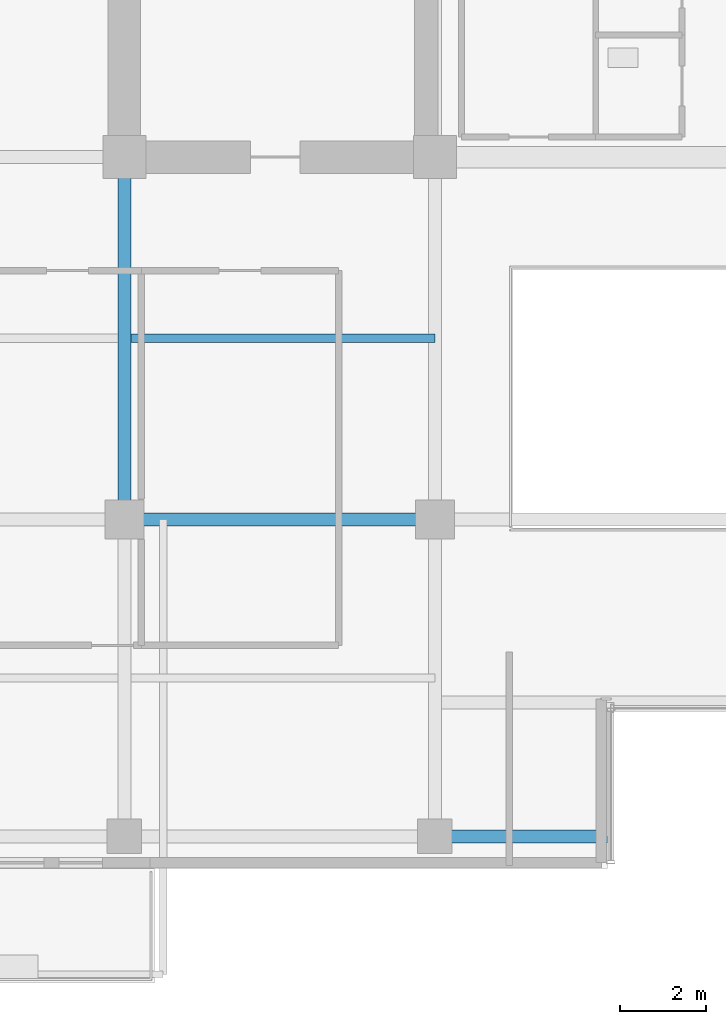
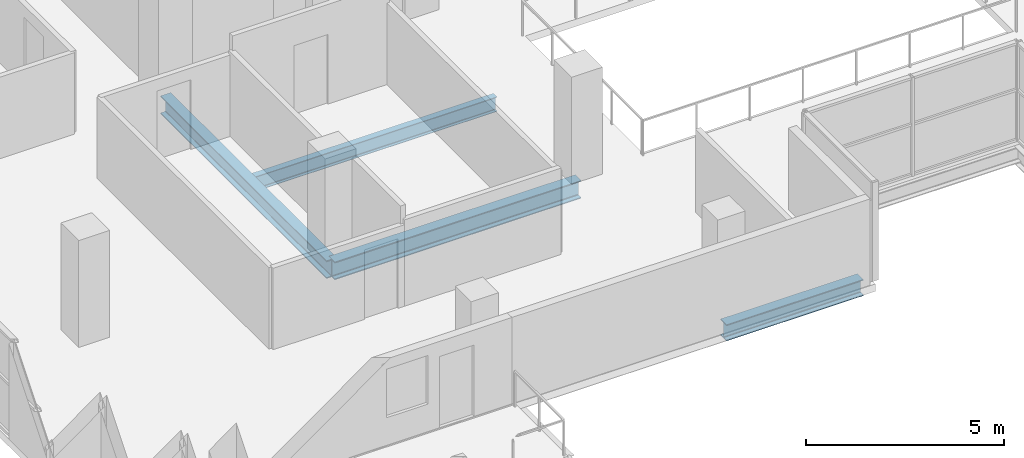
# One storey, part 5 of 24: 4 beams.
"""IFC4 building model written with IfcOpenShell, lengths in metres."""

from ifc_helpers import new_model, si_unit, direction, frame, origin, origin_2d, place, context, subcontext, project, spatial, i_section, extrude, material, material_profile, profile_set, type_object, element, save


model = new_model("IFC4")

# Units and contexts
model_context = context("Model", 3, precision=1e-05, world=origin(), true_north=direction((0.0, 1.0)))
body_context = subcontext(model_context, "Body", "Model", "MODEL_VIEW")
ifc_project = project(units=[si_unit("LENGTHUNIT", "METRE"), si_unit("AREAUNIT", "SQUARE_METRE"), si_unit("VOLUMEUNIT", "CUBIC_METRE"), si_unit("PLANEANGLEUNIT", "RADIAN"), si_unit("MASSUNIT", "GRAM", prefix="KILO")], contexts=[model_context])

# Site, building, storey
site_placement = place(None, origin())
site = spatial("IfcSite", under=ifc_project, at=site_placement, CompositionType="ELEMENT")
building_placement = place(site_placement, origin())
building = spatial("IfcBuilding", under=site, at=building_placement, Name="Zarnakvel Exchange Tower", CompositionType="ELEMENT")
storey_placement = place(building_placement, frame((0.0, 0.0, 119.800048828125)))
storey = spatial("IfcBuildingStorey", under=building, at=storey_placement, Name="L33", CompositionType="ELEMENT", Elevation=119.800048828125)

# Beams
ifc_material = material(Name="Steel S355", Category="steel")
ifc_material_profile_1 = material_profile(ifc_material, i_section(OverallWidth=0.18994140625, OverallDepth=0.449951171875, WebThickness=0.009521484375, FlangeThickness=0.0146484375, FilletRadius=0.02099609375, at=origin_2d()))
ifc_profile_set_1 = profile_set([ifc_material_profile_1], Name="Steel S355")
beam_type_1 = type_object("IfcBeamType", Name="B-05", PredefinedType="JOIST", material=ifc_profile_set_1)
beam_1_placement = place(storey_placement, frame((-14.25, -5.39990234375, -0.449951171875), z_axis=(1.0, 0.0, 0.0), x_axis=(0.0, 1.0, 0.0)))
element("IfcBeam", 1, at=beam_1_placement, inside=storey, type_object=beam_type_1, Name="L33 Composite Floor Secondary Joist", PredefinedType="JOIST", context=body_context, shape_type="SweptSolid", body=[
    extrude(i_section(OverallWidth=0.18994140625, OverallDepth=0.449951171875, WebThickness=0.009521484375, FlangeThickness=0.0146484375, FilletRadius=0.02099609375, at=origin_2d()), origin(), (0.0, 0.0, 1.0), 7.050048828125),
])
ifc_material_profile_2 = material_profile(ifc_material, i_section(OverallWidth=0.300048828125, OverallDepth=0.550048828125, WebThickness=0.014892578125, FlangeThickness=0.029052734375, FilletRadius=0.027099609375, at=origin_2d()))
ifc_profile_set_2 = profile_set([ifc_material_profile_2], Name="Steel S355")
beam_type_2 = type_object("IfcBeamType", Name="G-05", PredefinedType="BEAM", material=ifc_profile_set_2)
beam_2_placement = place(storey_placement, frame((-14.39990234375, -9.60009765625, -0.5), z_axis=(1.0, 0.0, 0.0), x_axis=(0.0, 1.0, 0.0)))
element("IfcBeam", 2, at=beam_2_placement, inside=storey, type_object=beam_type_2, Name="L33 Tower E-W Frame Beam", PredefinedType="BEAM", context=body_context, shape_type="SweptSolid", body=[
    extrude(i_section(OverallWidth=0.300048828125, OverallDepth=0.550048828125, WebThickness=0.014892578125, FlangeThickness=0.029052734375, FilletRadius=0.027099609375, at=origin_2d()), origin(), (0.0, 0.0, 1.0), 7.199951171875),
])
beam_3_placement = place(storey_placement, frame((-14.39990234375, -9.60009765625, -0.5), z_axis=(0.0, 1.0, 0.0), x_axis=(-1.0, 0.0, 0.0)))
element("IfcBeam", 3, at=beam_3_placement, inside=storey, type_object=beam_type_2, Name="L33 Tower N-S Frame Beam", PredefinedType="BEAM", context=body_context, shape_type="SweptSolid", body=[
    extrude(i_section(OverallWidth=0.300048828125, OverallDepth=0.550048828125, WebThickness=0.014892578125, FlangeThickness=0.029052734375, FilletRadius=0.027099609375, at=origin_2d()), origin(), (0.0, 0.0, 1.0), 8.400146484375),
])
ifc_material_profile_3 = material_profile(ifc_material, i_section(OverallWidth=0.300048828125, OverallDepth=0.5, WebThickness=0.014404296875, FlangeThickness=0.028076171875, FilletRadius=0.027099609375, at=origin_2d()))
ifc_profile_set_3 = profile_set([ifc_material_profile_3], Name="Steel S355")
beam_type_3 = type_object("IfcBeamType", Name="SP-02", PredefinedType="SPANDREL", material=ifc_profile_set_3)
beam_4_placement = place(storey_placement, frame((-7.199951171875, -16.949951171875, -0.47509765625), z_axis=(1.0, 0.0, 0.0), x_axis=(0.0, 1.0, 0.0)))
element("IfcBeam", 4, at=beam_4_placement, inside=storey, type_object=beam_type_3, Name="L33 South Slot West Jamb Spandrel", PredefinedType="SPANDREL", context=body_context, shape_type="SweptSolid", body=[
    extrude(i_section(OverallWidth=0.300048828125, OverallDepth=0.5, WebThickness=0.014404296875, FlangeThickness=0.028076171875, FilletRadius=0.027099609375, at=origin_2d()), origin(), (0.0, 0.0, 1.0), 4.0),
])

save(model, "model.ifc")
